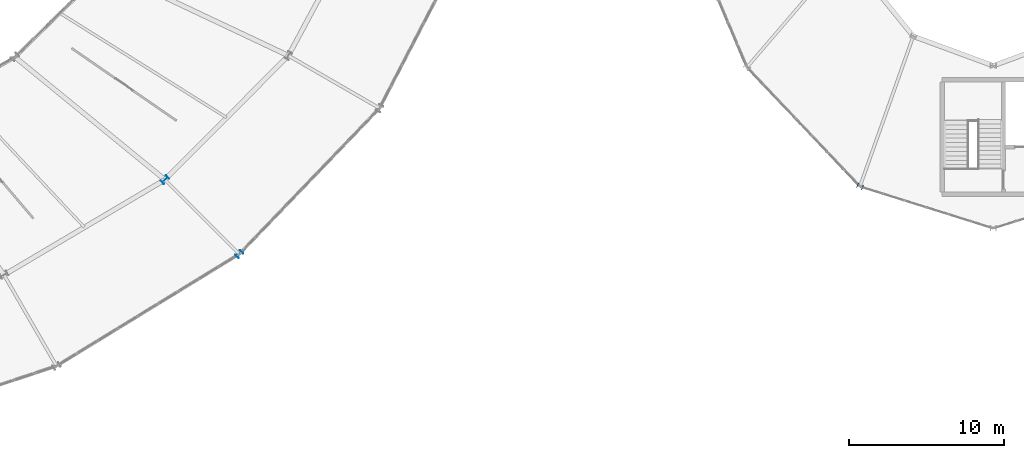
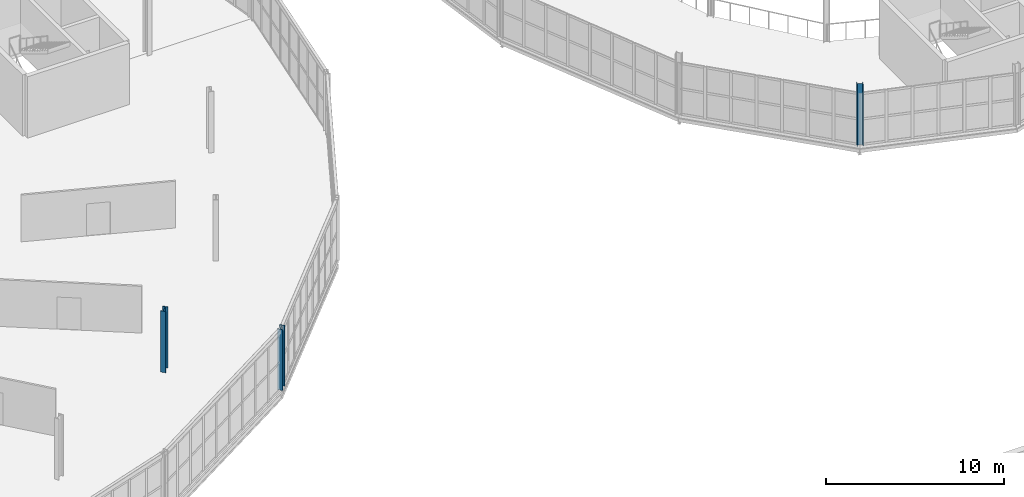
# One storey, part 19 of 161: 3 columns.
"""IFC4 building model written with IfcOpenShell, lengths in metres."""

from ifc_helpers import new_model, si_unit, direction, frame, origin, origin_2d, place, context, subcontext, project, spatial, i_section, extrude, material, material_profile, profile_set, type_object, element, save


model = new_model("IFC4")

# Units and contexts
model_context = context("Model", 3, precision=1e-05, world=origin(), true_north=direction((0.0, 1.0)))
body_context = subcontext(model_context, "Body", "Model", "MODEL_VIEW")
ifc_project = project(units=[si_unit("LENGTHUNIT", "METRE"), si_unit("AREAUNIT", "SQUARE_METRE"), si_unit("VOLUMEUNIT", "CUBIC_METRE"), si_unit("PLANEANGLEUNIT", "RADIAN"), si_unit("MASSUNIT", "GRAM", prefix="KILO")], contexts=[model_context])

# Site, building, storey
site_placement = place(None, origin())
site = spatial("IfcSite", under=ifc_project, at=site_placement, CompositionType="ELEMENT")
building_placement = place(site_placement, origin())
building = spatial("IfcBuilding", under=site, at=building_placement, Name="Kildeholm Park Wholesale Market", CompositionType="ELEMENT")
storey_placement = place(building_placement, frame((0.0, 0.0, 5.39990234375)))
storey = spatial("IfcBuildingStorey", under=building, at=storey_placement, Name="L01", CompositionType="ELEMENT", Elevation=5.39990234375)

# Columns
ifc_material = material(Name="Steel S355", Category="steel")
ifc_material_profile_1 = material_profile(ifc_material, i_section(OverallWidth=0.300048828125, OverallDepth=0.360107421875, WebThickness=0.012451171875, FlangeThickness=0.0224609375, FilletRadius=0.027099609375, at=origin_2d()), Name="HEB 360")
ifc_profile_set_1 = profile_set([ifc_material_profile_1], Name="Steel S355")
column_type_1 = type_object("IfcColumnType", Name="Column C-S04 HEB 360", PredefinedType="COLUMN", material=ifc_profile_set_1)
column_1_placement = place(storey_placement, frame((179.389892578125, 61.701904296875, 0.0), z_axis=(0.0, 0.0, 1.0), x_axis=(-0.382683432365, -0.923879532511, 0.0)))
element("IfcColumn", 1, at=column_1_placement, inside=storey, type_object=column_type_1, Name="Column V2-OT-11 L01 COL-0276", PredefinedType="COLUMN", context=body_context, shape_type="SweptSolid", body=[
    extrude(i_section(OverallWidth=0.300048828125, OverallDepth=0.360107421875, WebThickness=0.012451171875, FlangeThickness=0.0224609375, FilletRadius=0.027099609375, at=origin_2d()), origin(), (0.0, 0.0, 1.0), 4.2001953125),
])
ifc_material_profile_2 = material_profile(ifc_material, i_section(OverallWidth=0.300048828125, OverallDepth=0.449951171875, WebThickness=0.013916015625, FlangeThickness=0.02587890625, FilletRadius=0.027099609375, at=origin_2d()), Name="HEB 450")
ifc_profile_set_2 = profile_set([ifc_material_profile_2], Name="Steel S355")
column_type_2 = type_object("IfcColumnType", Name="Column C-S06 HEB 450", PredefinedType="COLUMN", material=ifc_profile_set_2)
column_2_placement = place(storey_placement, frame((139.304931640625, 57.326904296875, 0.0), z_axis=(0.0, 0.0, 1.0), x_axis=(0.707106781187, -0.707106781187, 0.0)))
element("IfcColumn", 2, at=column_2_placement, inside=storey, type_object=column_type_2, Name="Column V1-OT-21 L01 COL-0197", PredefinedType="COLUMN", context=body_context, shape_type="SweptSolid", body=[
    extrude(i_section(OverallWidth=0.300048828125, OverallDepth=0.449951171875, WebThickness=0.013916015625, FlangeThickness=0.02587890625, FilletRadius=0.027099609375, at=origin_2d()), origin(), (0.0, 0.0, 1.0), 4.18017578125),
])
ifc_material_profile_3 = material_profile(ifc_material, i_section(OverallWidth=0.300048828125, OverallDepth=0.5, WebThickness=0.014404296875, FlangeThickness=0.028076171875, FilletRadius=0.027099609375, at=origin_2d()), Name="HEB 500")
ifc_profile_set_3 = profile_set([ifc_material_profile_3], Name="Steel S355")
column_type_3 = type_object("IfcColumnType", Name="Column C-S07 HEB 500", PredefinedType="COLUMN", material=ifc_profile_set_3)
column_3_placement = place(storey_placement, frame((134.4970703125, 62.135009765625, 0.0), z_axis=(0.0, 0.0, 1.0), x_axis=(0.707106781187, -0.707106781187, 0.0)))
element("IfcColumn", 3, at=column_3_placement, inside=storey, type_object=column_type_3, Name="Column V1-MD-21 L01 COL-0194", PredefinedType="COLUMN", context=body_context, shape_type="SweptSolid", body=[
    extrude(i_section(OverallWidth=0.300048828125, OverallDepth=0.5, WebThickness=0.014404296875, FlangeThickness=0.028076171875, FilletRadius=0.027099609375, at=origin_2d()), origin(), (0.0, 0.0, 1.0), 4.2001953125),
])

save(model, "model.ifc")
